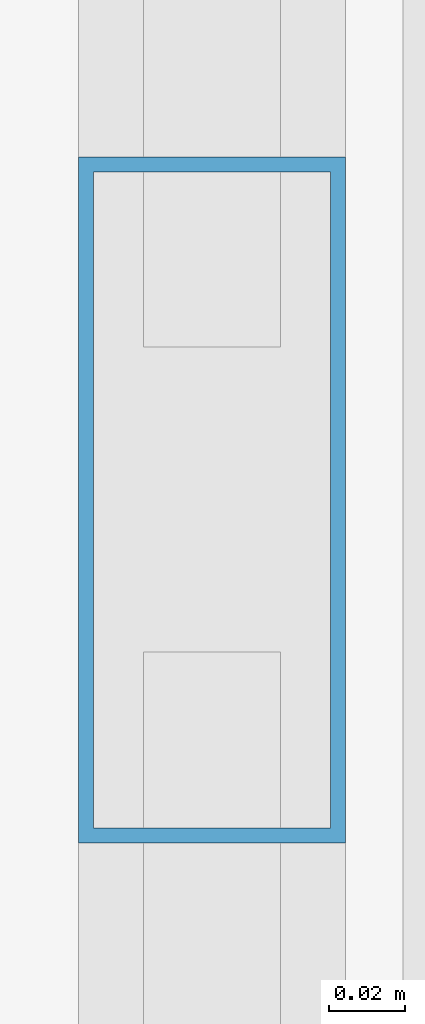
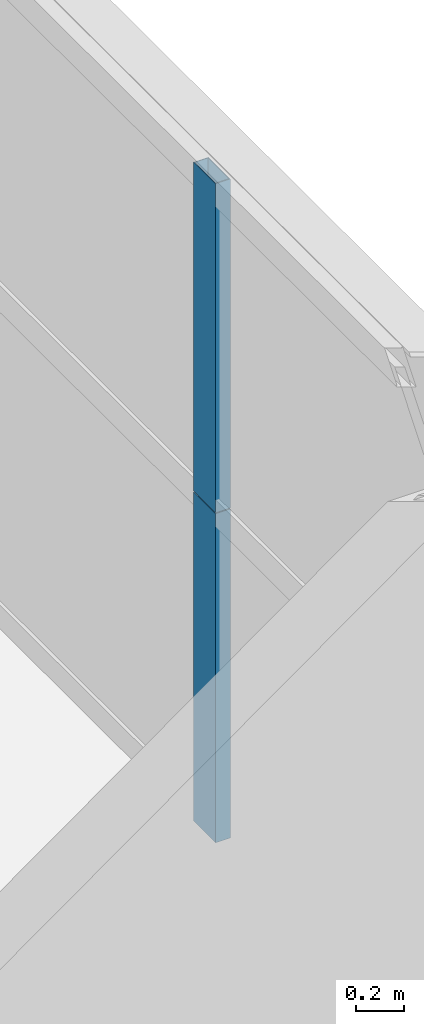
# One storey, part 28 of 38: 2 members, 1 element without a shape of its own.
"""IFC4 building model written with IfcOpenShell, lengths in metres."""

from ifc_helpers import new_model, si_unit, direction, frame, origin, origin_2d, place, context, subcontext, project, spatial, hollow_rectangle, extrude, source, transform, mapped, material, layer, layer_set, material_profile, profile_set, type_object, element, aggregate, save


model = new_model("IFC4")

# Units and contexts
model_context = context("Model", 3, precision=1e-05, world=origin(), true_north=direction((0.0, 1.0)))
body_context = subcontext(model_context, "Body", "Model", "MODEL_VIEW")
ifc_project = project(units=[si_unit("LENGTHUNIT", "METRE"), si_unit("AREAUNIT", "SQUARE_METRE"), si_unit("VOLUMEUNIT", "CUBIC_METRE"), si_unit("PLANEANGLEUNIT", "RADIAN"), si_unit("MASSUNIT", "GRAM", prefix="KILO"), si_unit("THERMODYNAMICTEMPERATUREUNIT", "KELVIN"), si_unit("POWERUNIT", "WATT")], contexts=[model_context])

# Site, building, storey
site_placement = place(None, origin())
site = spatial("IfcSite", under=ifc_project, at=site_placement, CompositionType="ELEMENT")
building_placement = place(site_placement, origin())
building = spatial("IfcBuilding", under=site, at=building_placement, Name="Yuzanri Waterfront Tower", CompositionType="ELEMENT")
storey_placement = place(building_placement, frame((0.0, 0.0, 126.199951171875)))
storey = spatial("IfcBuildingStorey", under=building, at=storey_placement, Name="L33", CompositionType="ELEMENT", Elevation=126.199951171875)

# Curtain wall, members
ifc_material_1 = material(Name="Anodized Architectural Bronze", Category="metal")
ifc_layer = layer(ifc_material_1, 0.159912109375)
ifc_layer_set = layer_set([ifc_layer], Name="Anodized Architectural Bronze")
curtain_wall_type = type_object("IfcCurtainWallType", Name="Anodized Bronze Hotel Upper-Tier Solar-Control Unitized Curtain Wall 7800", PredefinedType="NOTDEFINED", material=ifc_layer_set)
curtain_wall_placement = place(storey_placement, origin())
curtain_wall = element("IfcCurtainWall", 1, at=curtain_wall_placement, inside=storey, type_object=curtain_wall_type, Name="L33 Curtain Wall CW-L33-ER", PredefinedType="NOTDEFINED")
ifc_material_2 = material(Name="Anodized Architectural Bronze", Category="metal")
ifc_material_profile = material_profile(ifc_material_2, hollow_rectangle(XDim=0.070068359375, YDim=0.179931640625, WallThickness=0.00390625, at=origin_2d()), Name="CWM 70x180")
ifc_profile_set = profile_set([ifc_material_profile], Name="Anodized Architectural Bronze")
member_type = type_object("IfcMemberType", Name="Anodized Bronze Standard Curtain-Wall Mullion 70x180", PredefinedType="MULLION", material=ifc_profile_set)
shared_shape = source(origin(), body_context, "Body", "SweptSolid", [
    extrude(hollow_rectangle(XDim=0.070068359375, YDim=0.179931640625, WallThickness=0.00390625, at=origin_2d()), origin(), (0.0, 0.0, 1.0), 1.657958984375),
])
member_1_placement = place(storey_placement, frame((60.449951171875, 34.14990234375, 0.0), z_axis=(0.0, 0.0, 1.0), x_axis=(1.0, 0.0, 0.0)))
member_1 = element("IfcMember", 2, at=member_1_placement, type_object=member_type, Name="CW-L33-ER Lower Mullion 01", PredefinedType="MULLION", context=body_context, shape_type="MappedRepresentation", body=[
    mapped(shared_shape, transform((0.0, 0.0, 0.0), scale=1.0)),
])
member_2_placement = place(storey_placement, frame((60.449951171875, 34.14990234375, 1.662109375), z_axis=(0.0, 0.0, 1.0), x_axis=(1.0, 0.0, 0.0)))
member_2 = element("IfcMember", 3, at=member_2_placement, type_object=member_type, Name="CW-L33-ER Upper Mullion 01", PredefinedType="MULLION", context=body_context, shape_type="MappedRepresentation", body=[
    mapped(shared_shape, transform((0.0, 0.0, 0.0), scale=1.0)),
])
aggregate(curtain_wall, [member_1, member_2])

save(model, "model.ifc")
